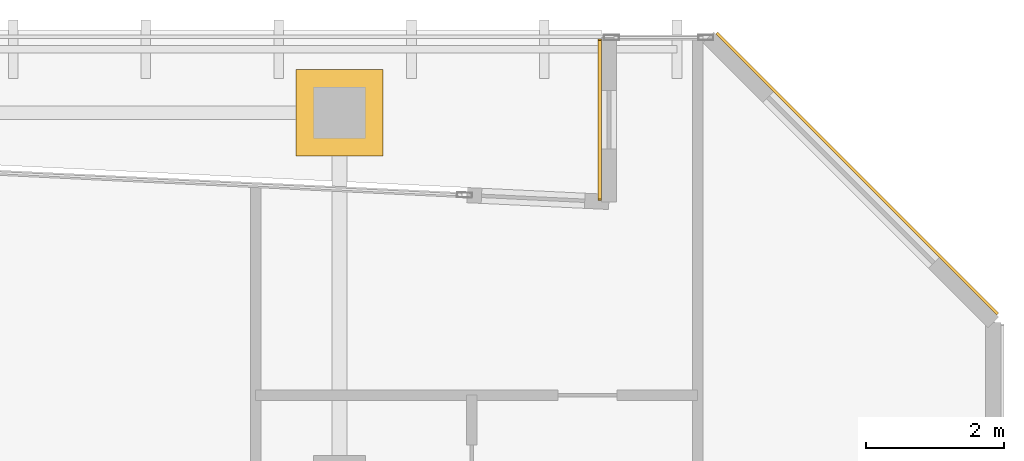
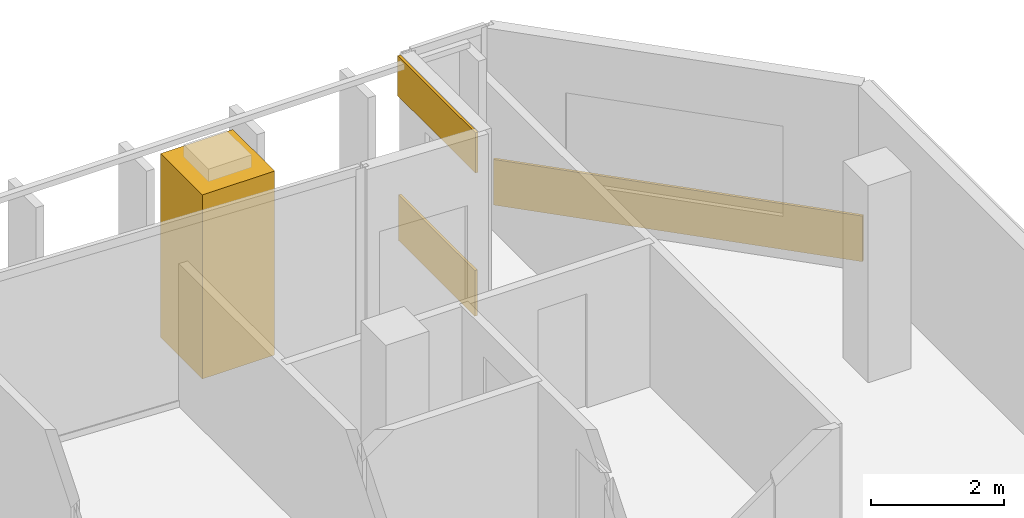
# One storey, part 31 of 31: 4 coverings.
"""IFC4 building model written with IfcOpenShell, lengths in metres."""

from ifc_helpers import new_model, si_unit, direction, frame, origin, origin_2d, place, context, subcontext, project, spatial, rectangle, extrude, material, layer, layer_set, type_object, element, save


model = new_model("IFC4")

# Units and contexts
model_context = context("Model", 3, precision=1e-05, world=origin(), true_north=direction((0.0, 1.0)))
body_context = subcontext(model_context, "Body", "Model", "MODEL_VIEW")
ifc_project = project(units=[si_unit("LENGTHUNIT", "METRE"), si_unit("AREAUNIT", "SQUARE_METRE"), si_unit("VOLUMEUNIT", "CUBIC_METRE"), si_unit("PLANEANGLEUNIT", "RADIAN"), si_unit("MASSUNIT", "GRAM", prefix="KILO")], contexts=[model_context])

# Site, building, storey
site_placement = place(None, origin())
site = spatial("IfcSite", under=ifc_project, at=site_placement, CompositionType="ELEMENT")
building_placement = place(site_placement, origin())
building = spatial("IfcBuilding", under=site, at=building_placement, Name="Tanjung Sevakor Pilgrim Tower", CompositionType="ELEMENT")
storey_placement = place(building_placement, frame((0.0, 0.0, 208.22998046875)))
storey = spatial("IfcBuildingStorey", under=building, at=storey_placement, Name="L58", CompositionType="ELEMENT", Elevation=208.22998046875)

# Coverings
ifc_material = material(Name="Reconstructed Limestone Cladding", Category="masonry")
ifc_layer = layer(ifc_material, 0.044921875)
ifc_layer_set = layer_set([ifc_layer], Name="COV-CLAD-LIMESTONE")
covering_type = type_object("IfcCoveringType", Name="COV-CLAD-LIMESTONE", PredefinedType="CLADDING", material=ifc_layer_set)
covering_1_placement = place(storey_placement, frame((97.515869140625, 53.06591796875, 0.009765625), z_axis=(0.0, 0.0, 1.0), x_axis=(-0.707106781187, 0.707106781187, 0.0)))
element("IfcCovering", 1, at=covering_1_placement, inside=storey, type_object=covering_type, Name="L58 Warm Limestone Sill Spandrel EW-CHM-L58-MAIN-17-1", PredefinedType="CLADDING", context=body_context, shape_type="SweptSolid", body=[
    extrude(rectangle(XDim=5.7685546875, YDim=0.044921875, at=origin_2d()), origin(), (0.0, 0.0, 1.0), 0.840087890625),
])
covering_2_placement = place(storey_placement, frame((93.777587890625, 53.847412109375, 0.009765625), z_axis=(0.0, 0.0, 1.0), x_axis=(0.0, -1.0, 0.0)))
element("IfcCovering", 2, at=covering_2_placement, inside=storey, type_object=covering_type, Name="L58 Warm Limestone Sill Spandrel EW-L58-MAIN-20-1", PredefinedType="CLADDING", context=body_context, shape_type="SweptSolid", body=[
    extrude(rectangle(XDim=2.305419921875, YDim=0.044921875, at=origin_2d()), origin(), (0.0, 0.0, 1.0), 0.840087890625),
])
covering_3_placement = place(storey_placement, frame((93.777587890625, 53.847412109375, 2.66015625), z_axis=(0.0, 0.0, 1.0), x_axis=(0.0, -1.0, 0.0)))
element("IfcCovering", 3, at=covering_3_placement, inside=storey, type_object=covering_type, Name="L58 Warm Limestone Cornice Spandrel EW-L58-MAIN-20", PredefinedType="CLADDING", context=body_context, shape_type="SweptSolid", body=[
    extrude(rectangle(XDim=2.345458984375, YDim=0.044921875, at=origin_2d()), origin(), (0.0, 0.0, 1.0), 0.739990234375),
])
covering_4_placement = place(storey_placement, frame((90.0, 53.949951171875, 0.01025390625), z_axis=(0.0, 0.0, 1.0), x_axis=(1.0, 0.0, 0.0)))
element("IfcCovering", 4, at=covering_4_placement, inside=storey, type_object=covering_type, Name="L58 Colonnade Pier Limestone Casing 40", PredefinedType="CLADDING", context=body_context, shape_type="SweptSolid", body=[
    extrude(rectangle(XDim=1.260009765625, YDim=1.260009765625, at=origin_2d()), origin(), (0.0, 0.0, 1.0), 3.389892578125),
])

save(model, "model.ifc")
